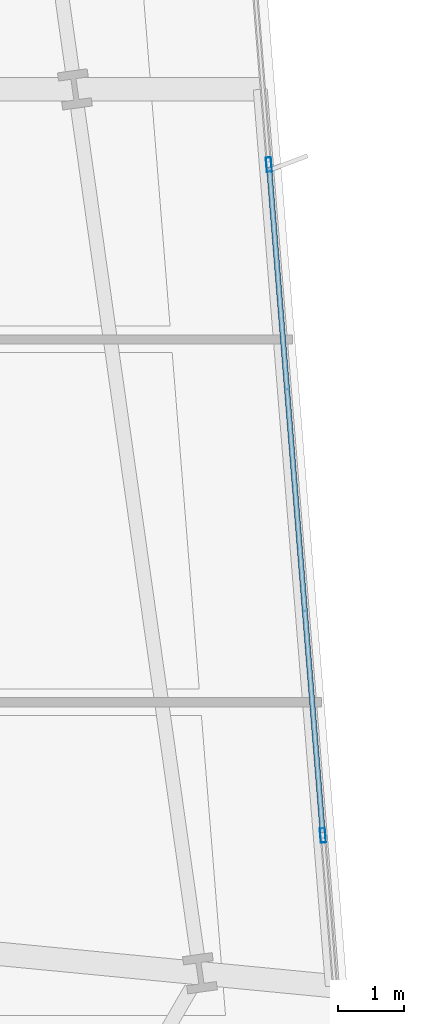
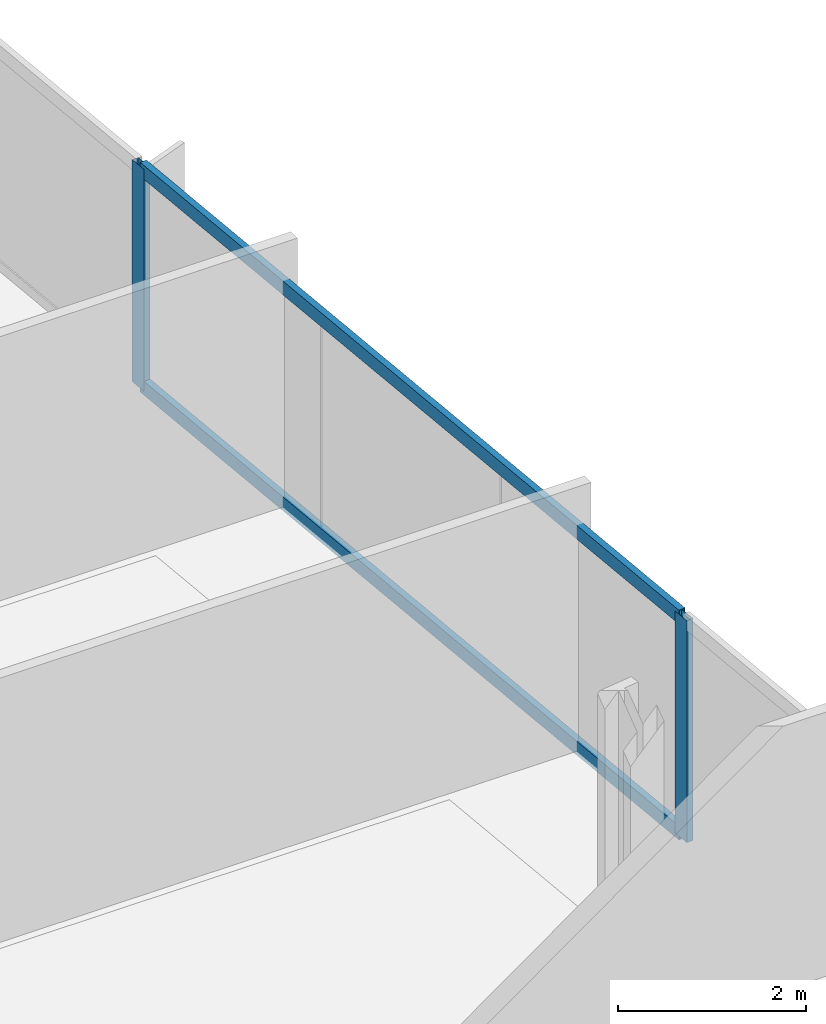
# One storey, part 13 of 33: 4 members, 1 element without a shape of its own.
"""IFC4 building model written with IfcOpenShell, lengths in metres."""

from ifc_helpers import new_model, si_unit, direction, frame, origin, origin_2d, place, context, subcontext, project, spatial, hollow_rectangle, extrude, material, material_profile, profile_set, type_object, element, aggregate, save


model = new_model("IFC4")

# Units and contexts
model_context = context("Model", 3, precision=1e-05, world=origin(), true_north=direction((0.0, 1.0)))
body_context = subcontext(model_context, "Body", "Model", "MODEL_VIEW")
ifc_project = project(units=[si_unit("LENGTHUNIT", "METRE"), si_unit("AREAUNIT", "SQUARE_METRE"), si_unit("VOLUMEUNIT", "CUBIC_METRE"), si_unit("PLANEANGLEUNIT", "RADIAN"), si_unit("MASSUNIT", "GRAM", prefix="KILO")], contexts=[model_context])

# Site, building, storey
site_placement = place(None, origin())
site = spatial("IfcSite", under=ifc_project, at=site_placement, CompositionType="ELEMENT")
building_placement = place(site_placement, origin())
building = spatial("IfcBuilding", under=site, at=building_placement, Name="Haldenkirk Collegiate Tower", CompositionType="ELEMENT")
storey_placement = place(building_placement, frame((0.0, 0.0, 43.949951171875)))
storey = spatial("IfcBuildingStorey", under=building, at=storey_placement, Name="L09", CompositionType="ELEMENT", Elevation=43.949951171875)

# Curtain wall, members
ifc_material = material(Name="Anodised architectural bronze aluminium", Category="aluminium")
curtain_wall_type = type_object("IfcCurtainWallType", Name="CW-SYS1-CONVEX-LOW", PredefinedType="USERDEFINED", material=ifc_material)
curtain_wall_placement = place(storey_placement, origin())
curtain_wall = element("IfcCurtainWall", 1, at=curtain_wall_placement, inside=storey, type_object=curtain_wall_type, Name="L09 Lower tower convex bronze-framed unitised curtain wall", ObjectType="UNITISED CURTAIN WALL", PredefinedType="USERDEFINED")
ifc_material_profile_1 = material_profile(ifc_material, hollow_rectangle(XDim=0.080078125, YDim=0.219970703125, WallThickness=0.0048828125, at=origin_2d()), Name="CW-MUL-1A")
ifc_profile_set_1 = profile_set([ifc_material_profile_1], Name="Anodised architectural bronze aluminium")
member_type_1 = type_object("IfcMemberType", Name="CW-MUL-1A", PredefinedType="MULLION", material=ifc_profile_set_1)
member_1_placement = place(storey_placement, frame((62.693603515625, 28.6494140625, 0.0), z_axis=(0.0, 0.0, 1.0), x_axis=(0.996778913457, 0.080198489315, 0.0)))
member_1 = element("IfcMember", 2, at=member_1_placement, type_object=member_type_1, Name="CW-1A mullion 3", PredefinedType="MULLION", context=body_context, shape_type="SweptSolid", body=[
    extrude(hollow_rectangle(XDim=0.080078125, YDim=0.219970703125, WallThickness=0.0048828125, at=origin_2d()), origin(), (0.0, 0.0, 1.0), 2.89111328125),
])
member_2_placement = place(storey_placement, frame((63.511474609375, 18.482177734375, 0.0), z_axis=(0.0, 0.0, 1.0), x_axis=(0.996778913457, 0.080198489315, 0.0)))
member_2 = element("IfcMember", 3, at=member_2_placement, type_object=member_type_1, Name="CW-1A mullion 4", PredefinedType="MULLION", context=body_context, shape_type="SweptSolid", body=[
    extrude(hollow_rectangle(XDim=0.080078125, YDim=0.219970703125, WallThickness=0.0048828125, at=origin_2d()), origin(), (0.0, 0.0, 1.0), 2.89111328125),
])
ifc_material_profile_2 = material_profile(ifc_material, hollow_rectangle(XDim=0.080078125, YDim=0.179931640625, WallThickness=0.0048828125, at=origin_2d()), Name="CW-TRN-1A")
ifc_profile_set_2 = profile_set([ifc_material_profile_2], Name="Anodised architectural bronze aluminium")
member_type_2 = type_object("IfcMemberType", Name="CW-TRN-1A", PredefinedType="USERDEFINED", material=ifc_profile_set_2)
member_3_placement = place(storey_placement, frame((62.69677734375, 28.609619140625, 0.0400390625), z_axis=(0.080190119239, -0.996779586858, 0.0), x_axis=(0.996779586858, 0.080190119239, 0.0)))
member_3 = element("IfcMember", 4, at=member_3_placement, type_object=member_type_2, Name="CW-1A transom 3.1", ObjectType="TRANSOM", PredefinedType="USERDEFINED", context=body_context, shape_type="SweptSolid", body=[
    extrude(hollow_rectangle(XDim=0.080078125, YDim=0.179931640625, WallThickness=0.0048828125, at=origin_2d()), origin(), (0.0, 0.0, 1.0), 10.119873046875),
])
member_4_placement = place(storey_placement, frame((62.69677734375, 28.609619140625, 2.85107421875), z_axis=(0.080190119239, -0.996779586858, 0.0), x_axis=(0.996779586858, 0.080190119239, 0.0)))
member_4 = element("IfcMember", 5, at=member_4_placement, type_object=member_type_2, Name="CW-1A transom 3.2", ObjectType="TRANSOM", PredefinedType="USERDEFINED", context=body_context, shape_type="SweptSolid", body=[
    extrude(hollow_rectangle(XDim=0.080078125, YDim=0.179931640625, WallThickness=0.0048828125, at=origin_2d()), origin(), (0.0, 0.0, 1.0), 10.119873046875),
])
aggregate(curtain_wall, [member_1, member_2, member_3, member_4])

save(model, "model.ifc")
